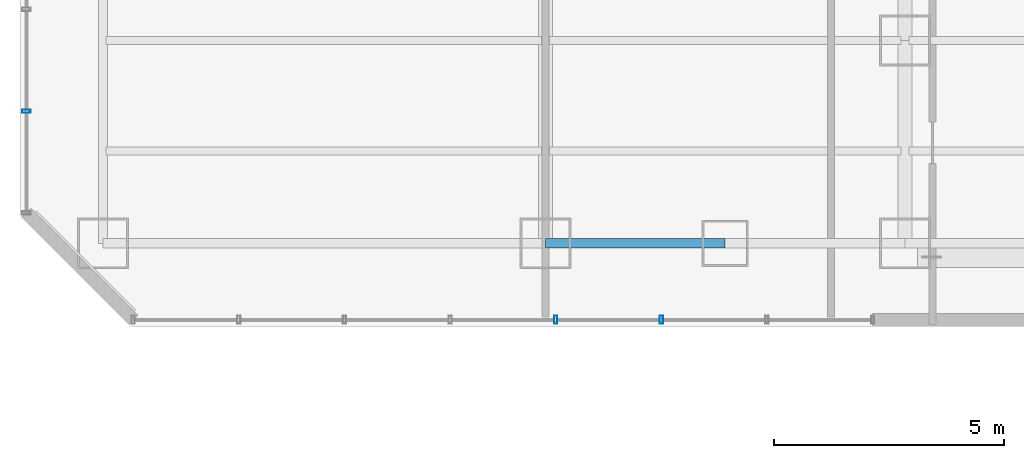
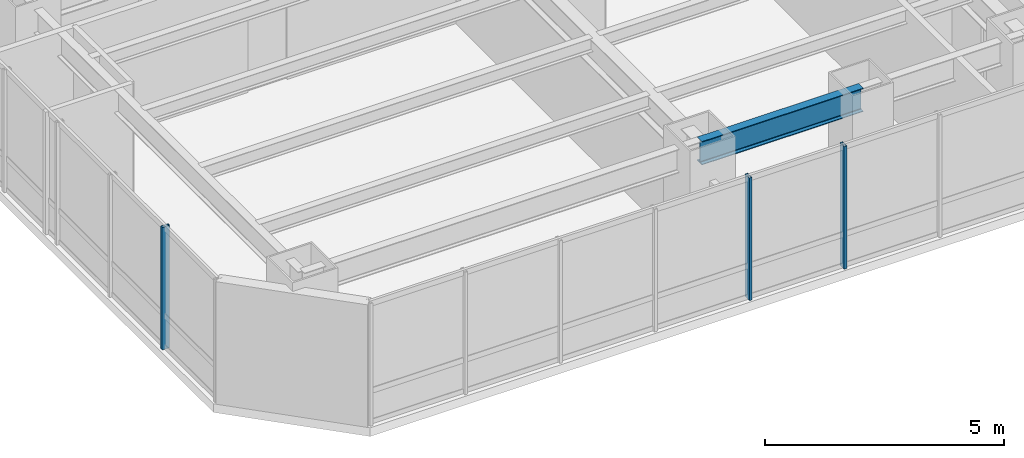
# One storey, part 4 of 33: 3 members, 1 beam, 2 elements without a shape of their own.
"""IFC4 building model written with IfcOpenShell, lengths in metres."""

from ifc_helpers import new_model, si_unit, direction, frame, origin, origin_2d, place, context, subcontext, project, spatial, hollow_rectangle, i_section, extrude, material, layer, layer_set, material_profile, profile_set, type_object, element, aggregate, save


model = new_model("IFC4")

# Units and contexts
model_context = context("Model", 3, precision=1e-05, world=origin(), true_north=direction((0.0, 1.0)))
body_context = subcontext(model_context, "Body", "Model", "MODEL_VIEW")
ifc_project = project(units=[si_unit("LENGTHUNIT", "METRE"), si_unit("AREAUNIT", "SQUARE_METRE"), si_unit("VOLUMEUNIT", "CUBIC_METRE"), si_unit("PLANEANGLEUNIT", "RADIAN"), si_unit("MASSUNIT", "GRAM", prefix="KILO")], contexts=[model_context])

# Site, building, storey
site_placement = place(None, origin())
site = spatial("IfcSite", under=ifc_project, at=site_placement, CompositionType="ELEMENT")
building_placement = place(site_placement, origin())
building = spatial("IfcBuilding", under=site, at=building_placement, Name="Hatsunagi Terrace Concourse", CompositionType="ELEMENT")
storey_placement = place(building_placement, frame((0.0, 0.0, 53.35009765625)))
storey = spatial("IfcBuildingStorey", under=building, at=storey_placement, Name="L13", CompositionType="ELEMENT", Elevation=53.35009765625)

# Curtain wall, members
ifc_material_1 = material(Name="Anodised Aluminium Alloy 6063-T5", Category="aluminium")
ifc_layer = layer(ifc_material_1, 0.199951171875)
ifc_layer_set = layer_set([ifc_layer], Name="HotelFacade_CW02")
curtain_wall_type = type_object("IfcCurtainWallType", Name="HotelFacade_CW02", PredefinedType="NOTDEFINED", material=ifc_layer_set)
curtain_wall_1_placement = place(storey_placement, origin())
curtain_wall_1 = element("IfcCurtainWall", 1, at=curtain_wall_1_placement, inside=storey, type_object=curtain_wall_type, Name="Unitised Curtain Wall CW-02 CW-L13-07", PredefinedType="NOTDEFINED")
ifc_material_2 = material(Name="Anodised Aluminium Alloy 6063-T5", Category="aluminium")
ifc_material_profile_1 = material_profile(ifc_material_2, hollow_rectangle(XDim=0.070068359375, YDim=0.179931640625, WallThickness=0.00390625, at=origin_2d()), Name="ALU-MUL-180x70x4")
ifc_profile_set_1 = profile_set([ifc_material_profile_1], Name="Anodised Aluminium Alloy 6063-T5")
member_type = type_object("IfcMemberType", Name="CurtainWallMullion_180x70", PredefinedType="MULLION", material=ifc_profile_set_1)
member_1_placement = place(storey_placement, frame((13.9169921875, 23.5400390625, 0.0), z_axis=(0.0, 0.0, 1.0), x_axis=(-1.0, 0.0, 0.0)))
member_1 = element("IfcMember", 2, at=member_1_placement, type_object=member_type, Name="Curtain Wall Mullion MUL-02", PredefinedType="MULLION", context=body_context, shape_type="SweptSolid", body=[
    extrude(hollow_rectangle(XDim=0.070068359375, YDim=0.179931640625, WallThickness=0.00390625, at=origin_2d()), origin(), (0.0, 0.0, 1.0), 3.1298828125),
])
member_2_placement = place(storey_placement, frame((11.625, 23.5400390625, 0.0), z_axis=(0.0, 0.0, 1.0), x_axis=(-1.0, 0.0, 0.0)))
member_2 = element("IfcMember", 3, at=member_2_placement, type_object=member_type, Name="Curtain Wall Mullion MUL-02", PredefinedType="MULLION", context=body_context, shape_type="SweptSolid", body=[
    extrude(hollow_rectangle(XDim=0.070068359375, YDim=0.179931640625, WallThickness=0.00390625, at=origin_2d()), origin(), (0.0, 0.0, 1.0), 3.1298828125),
])
aggregate(curtain_wall_1, [member_1, member_2])

# Curtain wall, member
curtain_wall_2_placement = place(storey_placement, origin())
curtain_wall_2 = element("IfcCurtainWall", 4, at=curtain_wall_2_placement, inside=storey, type_object=curtain_wall_type, Name="Unitised Curtain Wall CW-02 CW-L13-09", PredefinedType="NOTDEFINED")
member_3_placement = place(storey_placement, frame((0.139892578125, 28.06591796875, 0.0), z_axis=(0.0, 0.0, 1.0), x_axis=(0.0, 1.0, 0.0)))
member_3 = element("IfcMember", 5, at=member_3_placement, type_object=member_type, Name="Curtain Wall Mullion MUL-02", PredefinedType="MULLION", context=body_context, shape_type="SweptSolid", body=[
    extrude(hollow_rectangle(XDim=0.070068359375, YDim=0.179931640625, WallThickness=0.00390625, at=origin_2d()), origin(), (0.0, 0.0, 1.0), 3.1298828125),
])
aggregate(curtain_wall_2, [member_3])

# Beam
ifc_material_3 = material(Name="Steel SN490B", Category="steel")
ifc_material_profile_2 = material_profile(ifc_material_3, i_section(OverallWidth=0.199951171875, OverallDepth=0.60009765625, WebThickness=0.010986328125, FlangeThickness=0.01708984375, FilletRadius=0.01806640625, at=origin_2d()), Name="H-600x200x11x17")
ifc_profile_set_2 = profile_set([ifc_material_profile_2], Name="Steel SN490B")
beam_type = type_object("IfcBeamType", Name="PerimeterSpandrel_H_600x200", PredefinedType="SPANDREL", material=ifc_profile_set_2)
beam_placement = place(storey_placement, frame((11.39990234375, 25.199951171875, 2.829833984375), z_axis=(1.0, 0.0, 0.0), x_axis=(0.0, 1.0, 0.0)))
element("IfcBeam", 6, at=beam_placement, inside=storey, type_object=beam_type, Name="Beam SP-01 BM-L13-WS-11", PredefinedType="SPANDREL", context=body_context, shape_type="SweptSolid", body=[
    extrude(i_section(OverallWidth=0.199951171875, OverallDepth=0.60009765625, WebThickness=0.010986328125, FlangeThickness=0.01708984375, FilletRadius=0.01806640625, at=origin_2d()), origin(), (0.0, 0.0, 1.0), 3.900146484375),
])

save(model, "model.ifc")
